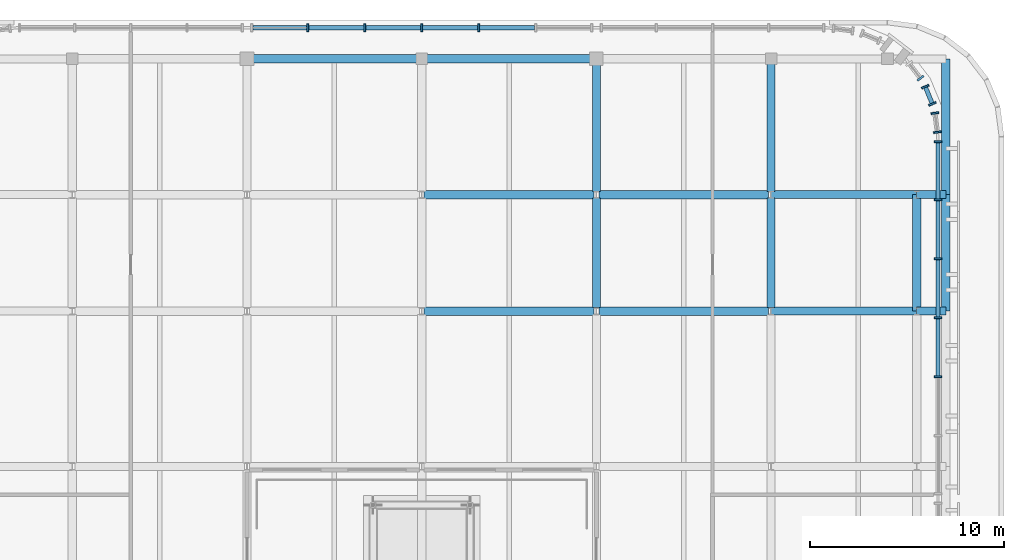
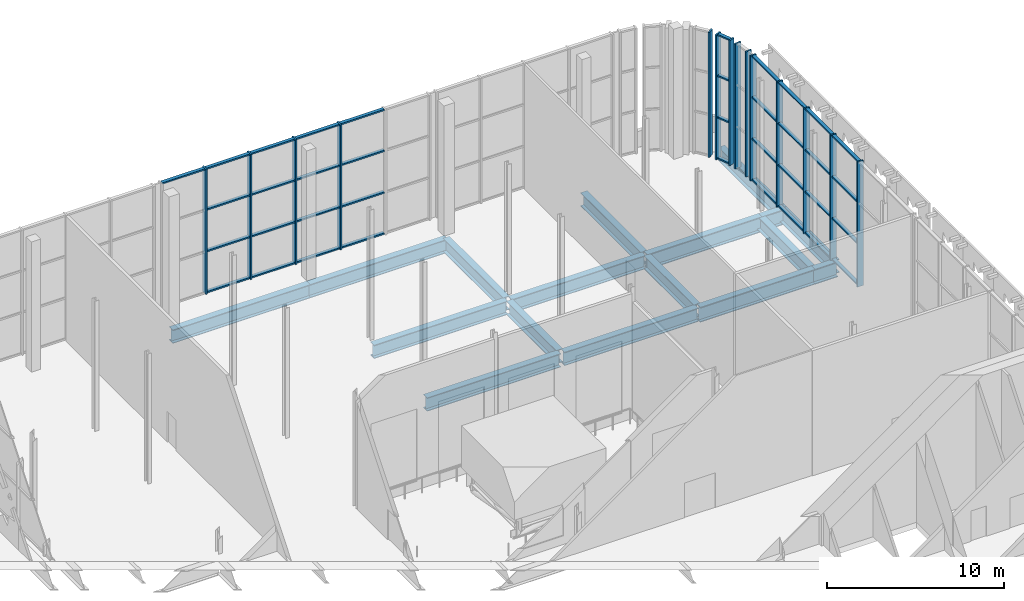
# One storey, part 13 of 26: 51 members, 17 beams, 5 elements without a shape of their own.
"""IFC4 building model written with IfcOpenShell, lengths in metres."""

from ifc_helpers import new_model, si_unit, direction, frame, origin, origin_2d, place, context, subcontext, project, spatial, rectangle, i_section, extrude, material, material_profile, profile_set, type_object, element, aggregate, save


model = new_model("IFC4")

# Units and contexts
model_context = context("Model", 3, precision=1e-05, world=origin(), true_north=direction((0.0, 1.0)))
body_context = subcontext(model_context, "Body", "Model", "MODEL_VIEW")
ifc_project = project(units=[si_unit("LENGTHUNIT", "METRE"), si_unit("AREAUNIT", "SQUARE_METRE"), si_unit("VOLUMEUNIT", "CUBIC_METRE"), si_unit("PLANEANGLEUNIT", "RADIAN"), si_unit("MASSUNIT", "GRAM", prefix="KILO")], contexts=[model_context])

# Site, building, storey
site_placement = place(None, origin())
site = spatial("IfcSite", under=ifc_project, at=site_placement, CompositionType="ELEMENT")
building_placement = place(site_placement, origin())
building = spatial("IfcBuilding", under=site, at=building_placement, Name="Zellij Exchange Tower", CompositionType="ELEMENT")
storey_placement = place(building_placement, frame((0.0, 0.0, 296.5)))
storey = spatial("IfcBuildingStorey", under=building, at=storey_placement, Name="L70", CompositionType="ELEMENT", Elevation=296.5)

# Curtain wall, members
ifc_material_1 = material(Name="Bronze anodised aluminium frame, bronze laminated glass", Category="aluminium")
curtain_wall_type = type_object("IfcCurtainWallType", Name="ENV-CW5 Damper-gallery glazing", PredefinedType="NOTDEFINED", material=ifc_material_1)
curtain_wall_1_placement = place(storey_placement, origin())
curtain_wall_1 = element("IfcCurtainWall", 1, at=curtain_wall_1_placement, inside=storey, type_object=curtain_wall_type, Name="cw.L70.04b", PredefinedType="NOTDEFINED")
ifc_material_2 = material(Name="Aluminium, bronze anodised", Category="aluminium")
ifc_material_profile_1 = material_profile(ifc_material_2, rectangle(XDim=0.10009765625, YDim=0.39990234375, at=origin_2d()), Name="AL 100x400")
ifc_profile_set_1 = profile_set([ifc_material_profile_1], Name="Aluminium, bronze anodised")
member_type_1 = type_object("IfcMemberType", Name="ENV-CW5M Mullion 100x400", PredefinedType="MULLION", material=ifc_profile_set_1)
member_1_placement = place(storey_placement, frame((26.60009765625, 18.619384765625, 0.0), z_axis=(0.0, 0.0, 1.0), x_axis=(0.0, 1.0, 0.0)))
member_1 = element("IfcMember", 2, at=member_1_placement, type_object=member_type_1, Name="CW5 mullion 3", PredefinedType="MULLION", context=body_context, shape_type="SweptSolid", body=[
    extrude(rectangle(XDim=0.10009765625, YDim=0.39990234375, at=origin_2d()), origin(), (0.0, 0.0, 1.0), 8.64990234375),
])
member_2_placement = place(storey_placement, frame((26.60009765625, 21.657958984375, 0.0), z_axis=(0.0, 0.0, 1.0), x_axis=(0.0, 1.0, 0.0)))
member_2 = element("IfcMember", 3, at=member_2_placement, type_object=member_type_1, Name="CW5 mullion 4", PredefinedType="MULLION", context=body_context, shape_type="SweptSolid", body=[
    extrude(rectangle(XDim=0.10009765625, YDim=0.39990234375, at=origin_2d()), origin(), (0.0, 0.0, 1.0), 8.64990234375),
])
member_3_placement = place(storey_placement, frame((26.60009765625, 24.696533203125, 0.0), z_axis=(0.0, 0.0, 1.0), x_axis=(0.0, 1.0, 0.0)))
member_3 = element("IfcMember", 4, at=member_3_placement, type_object=member_type_1, Name="CW5 mullion 5", PredefinedType="MULLION", context=body_context, shape_type="SweptSolid", body=[
    extrude(rectangle(XDim=0.10009765625, YDim=0.39990234375, at=origin_2d()), origin(), (0.0, 0.0, 1.0), 8.64990234375),
])
member_4_placement = place(storey_placement, frame((26.60009765625, 27.735107421875, 0.0), z_axis=(0.0, 0.0, 1.0), x_axis=(0.0, 1.0, 0.0)))
member_4 = element("IfcMember", 5, at=member_4_placement, type_object=member_type_1, Name="CW5 mullion 6", PredefinedType="MULLION", context=body_context, shape_type="SweptSolid", body=[
    extrude(rectangle(XDim=0.10009765625, YDim=0.39990234375, at=origin_2d()), origin(), (0.0, 0.0, 1.0), 8.64990234375),
])
member_5_placement = place(storey_placement, frame((26.60009765625, 30.723876953125, 0.0), z_axis=(0.0, 0.0, 1.0), x_axis=(0.0, 1.0, 0.0)))
member_5 = element("IfcMember", 6, at=member_5_placement, type_object=member_type_1, Name="CW5 mullion 7", PredefinedType="MULLION", context=body_context, shape_type="SweptSolid", body=[
    extrude(rectangle(XDim=0.10009765625, YDim=0.39990234375, at=origin_2d()), origin(), (0.0, 0.0, 1.0), 8.64990234375),
])

curtain_wall_2_placement = place(storey_placement, origin())
curtain_wall_2 = element("IfcCurtainWall", 7, at=curtain_wall_2_placement, inside=storey, type_object=curtain_wall_type, Name="cw.L70.05", PredefinedType="NOTDEFINED")
member_6_placement = place(storey_placement, frame((26.5673828125, 31.2216796875, 0.0), z_axis=(0.0, 0.0, 1.0), x_axis=(-0.130494953476, 0.991448973532, 0.0)))
member_6 = element("IfcMember", 8, at=member_6_placement, type_object=member_type_1, Name="CW5 mullion 1", PredefinedType="MULLION", context=body_context, shape_type="SweptSolid", body=[
    extrude(rectangle(XDim=0.10009765625, YDim=0.39990234375, at=origin_2d()), origin(), (0.0, 0.0, 1.0), 8.64990234375),
])
member_7_placement = place(storey_placement, frame((26.4384765625, 32.20068359375, 0.0), z_axis=(0.0, 0.0, 1.0), x_axis=(-0.130494953476, 0.991448973532, 0.0)))
member_7 = element("IfcMember", 9, at=member_7_placement, type_object=member_type_1, Name="CW5 mullion 2", PredefinedType="MULLION", context=body_context, shape_type="SweptSolid", body=[
    extrude(rectangle(XDim=0.10009765625, YDim=0.39990234375, at=origin_2d()), origin(), (0.0, 0.0, 1.0), 8.64990234375),
])
aggregate(curtain_wall_2, [member_6, member_7])

curtain_wall_3_placement = place(storey_placement, origin())
curtain_wall_3 = element("IfcCurtainWall", 10, at=curtain_wall_3_placement, inside=storey, type_object=curtain_wall_type, Name="cw.L70.06", PredefinedType="NOTDEFINED")
member_8_placement = place(storey_placement, frame((26.310302734375, 32.679443359375, 0.0), z_axis=(0.0, 0.0, 1.0), x_axis=(-0.382754118186, 0.923850250318, 0.0)))
member_8 = element("IfcMember", 11, at=member_8_placement, type_object=member_type_1, Name="CW5 mullion 1", PredefinedType="MULLION", context=body_context, shape_type="SweptSolid", body=[
    extrude(rectangle(XDim=0.10009765625, YDim=0.39990234375, at=origin_2d()), origin(), (0.0, 0.0, 1.0), 8.64990234375),
])
member_9_placement = place(storey_placement, frame((25.9423828125, 33.5673828125, 0.0), z_axis=(0.0, 0.0, 1.0), x_axis=(-0.382754118186, 0.923850250318, 0.0)))
member_9 = element("IfcMember", 12, at=member_9_placement, type_object=member_type_1, Name="CW5 mullion 2", PredefinedType="MULLION", context=body_context, shape_type="SweptSolid", body=[
    extrude(rectangle(XDim=0.10009765625, YDim=0.39990234375, at=origin_2d()), origin(), (0.0, 0.0, 1.0), 8.64990234375),
])

# Curtain wall, member
curtain_wall_4_placement = place(storey_placement, origin())
curtain_wall_4 = element("IfcCurtainWall", 13, at=curtain_wall_4_placement, inside=storey, type_object=curtain_wall_type, Name="cw.L70.07", PredefinedType="NOTDEFINED")
member_10_placement = place(storey_placement, frame((25.694580078125, 33.99658203125, 0.0), z_axis=(0.0, 0.0, 1.0), x_axis=(-0.6087401576, 0.793369661964, 0.0)))
member_10 = element("IfcMember", 14, at=member_10_placement, type_object=member_type_1, Name="CW5 mullion 1", PredefinedType="MULLION", context=body_context, shape_type="SweptSolid", body=[
    extrude(rectangle(XDim=0.10009765625, YDim=0.39990234375, at=origin_2d()), origin(), (0.0, 0.0, 1.0), 8.64990234375),
])
aggregate(curtain_wall_4, [member_10])

# Curtain wall, members
curtain_wall_5_placement = place(storey_placement, origin())
curtain_wall_5 = element("IfcCurtainWall", 15, at=curtain_wall_5_placement, inside=storey, type_object=curtain_wall_type, Name="cw.L70.11b", PredefinedType="NOTDEFINED")
member_11_placement = place(storey_placement, frame((2.933349609375, 36.60009765625, 0.0), z_axis=(0.0, 0.0, 1.0), x_axis=(-1.0, 0.0, 0.0)))
member_11 = element("IfcMember", 16, at=member_11_placement, type_object=member_type_1, Name="CW5 mullion 3", PredefinedType="MULLION", context=body_context, shape_type="SweptSolid", body=[
    extrude(rectangle(XDim=0.10009765625, YDim=0.39990234375, at=origin_2d()), origin(), (0.0, 0.0, 1.0), 8.64990234375),
])
member_12_placement = place(storey_placement, frame((0.0, 36.60009765625, 0.0), z_axis=(0.0, 0.0, 1.0), x_axis=(-1.0, 0.0, 0.0)))
member_12 = element("IfcMember", 17, at=member_12_placement, type_object=member_type_1, Name="CW5 mullion 4", PredefinedType="MULLION", context=body_context, shape_type="SweptSolid", body=[
    extrude(rectangle(XDim=0.10009765625, YDim=0.39990234375, at=origin_2d()), origin(), (0.0, 0.0, 1.0), 8.64990234375),
])
member_13_placement = place(storey_placement, frame((-2.933349609375, 36.60009765625, 0.0), z_axis=(0.0, 0.0, 1.0), x_axis=(-1.0, 0.0, 0.0)))
member_13 = element("IfcMember", 18, at=member_13_placement, type_object=member_type_1, Name="CW5 mullion 5", PredefinedType="MULLION", context=body_context, shape_type="SweptSolid", body=[
    extrude(rectangle(XDim=0.10009765625, YDim=0.39990234375, at=origin_2d()), origin(), (0.0, 0.0, 1.0), 8.64990234375),
])
member_14_placement = place(storey_placement, frame((-5.86669921875, 36.60009765625, 0.0), z_axis=(0.0, 0.0, 1.0), x_axis=(-1.0, 0.0, 0.0)))
member_14 = element("IfcMember", 19, at=member_14_placement, type_object=member_type_1, Name="CW5 mullion 6", PredefinedType="MULLION", context=body_context, shape_type="SweptSolid", body=[
    extrude(rectangle(XDim=0.10009765625, YDim=0.39990234375, at=origin_2d()), origin(), (0.0, 0.0, 1.0), 8.64990234375),
])

# Member
ifc_material_profile_2 = material_profile(ifc_material_2, rectangle(XDim=0.219970703125, YDim=0.10009765625, at=origin_2d()), Name="AL 220x100")
ifc_profile_set_2 = profile_set([ifc_material_profile_2], Name="Aluminium, bronze anodised")
member_type_2 = type_object("IfcMemberType", Name="ENV-CW5T Transom 220x100", PredefinedType="USERDEFINED", material=ifc_profile_set_2)
member_15_placement = place(storey_placement, frame((26.60009765625, 18.66943359375, 0.050048828125), z_axis=(0.0, 1.0, 0.0), x_axis=(-1.0, 0.0, 0.0)))
member_15 = element("IfcMember", 20, at=member_15_placement, type_object=member_type_2, Name="CW5 transom 3.1", ObjectType="TRANSOM", PredefinedType="USERDEFINED", context=body_context, shape_type="SweptSolid", body=[
    extrude(rectangle(XDim=0.219970703125, YDim=0.10009765625, at=origin_2d()), origin(), (0.0, 0.0, 1.0), 2.9384765625),
])

member_16_placement = place(storey_placement, frame((26.60009765625, 18.66943359375, 2.88330078125), z_axis=(0.0, 1.0, 0.0), x_axis=(-1.0, 0.0, 0.0)))
member_16 = element("IfcMember", 21, at=member_16_placement, type_object=member_type_2, Name="CW5 transom 3.2", ObjectType="TRANSOM", PredefinedType="USERDEFINED", context=body_context, shape_type="SweptSolid", body=[
    extrude(rectangle(XDim=0.219970703125, YDim=0.10009765625, at=origin_2d()), origin(), (0.0, 0.0, 1.0), 2.9384765625),
])

member_17_placement = place(storey_placement, frame((26.60009765625, 18.66943359375, 5.7666015625), z_axis=(0.0, 1.0, 0.0), x_axis=(-1.0, 0.0, 0.0)))
member_17 = element("IfcMember", 22, at=member_17_placement, type_object=member_type_2, Name="CW5 transom 3.3", ObjectType="TRANSOM", PredefinedType="USERDEFINED", context=body_context, shape_type="SweptSolid", body=[
    extrude(rectangle(XDim=0.219970703125, YDim=0.10009765625, at=origin_2d()), origin(), (0.0, 0.0, 1.0), 2.9384765625),
])

member_18_placement = place(storey_placement, frame((26.60009765625, 18.66943359375, 8.60009765625), z_axis=(0.0, 1.0, 0.0), x_axis=(-1.0, 0.0, 0.0)))
member_18 = element("IfcMember", 23, at=member_18_placement, type_object=member_type_2, Name="CW5 transom 3.4", ObjectType="TRANSOM", PredefinedType="USERDEFINED", context=body_context, shape_type="SweptSolid", body=[
    extrude(rectangle(XDim=0.219970703125, YDim=0.10009765625, at=origin_2d()), origin(), (0.0, 0.0, 1.0), 2.9384765625),
])

member_19_placement = place(storey_placement, frame((26.60009765625, 21.7080078125, 0.050048828125), z_axis=(0.0, 1.0, 0.0), x_axis=(-1.0, 0.0, 0.0)))
member_19 = element("IfcMember", 24, at=member_19_placement, type_object=member_type_2, Name="CW5 transom 4.1", ObjectType="TRANSOM", PredefinedType="USERDEFINED", context=body_context, shape_type="SweptSolid", body=[
    extrude(rectangle(XDim=0.219970703125, YDim=0.10009765625, at=origin_2d()), origin(), (0.0, 0.0, 1.0), 2.9384765625),
])

member_20_placement = place(storey_placement, frame((26.60009765625, 21.7080078125, 2.88330078125), z_axis=(0.0, 1.0, 0.0), x_axis=(-1.0, 0.0, 0.0)))
member_20 = element("IfcMember", 25, at=member_20_placement, type_object=member_type_2, Name="CW5 transom 4.2", ObjectType="TRANSOM", PredefinedType="USERDEFINED", context=body_context, shape_type="SweptSolid", body=[
    extrude(rectangle(XDim=0.219970703125, YDim=0.10009765625, at=origin_2d()), origin(), (0.0, 0.0, 1.0), 2.9384765625),
])

member_21_placement = place(storey_placement, frame((26.60009765625, 21.7080078125, 5.7666015625), z_axis=(0.0, 1.0, 0.0), x_axis=(-1.0, 0.0, 0.0)))
member_21 = element("IfcMember", 26, at=member_21_placement, type_object=member_type_2, Name="CW5 transom 4.3", ObjectType="TRANSOM", PredefinedType="USERDEFINED", context=body_context, shape_type="SweptSolid", body=[
    extrude(rectangle(XDim=0.219970703125, YDim=0.10009765625, at=origin_2d()), origin(), (0.0, 0.0, 1.0), 2.9384765625),
])

member_22_placement = place(storey_placement, frame((26.60009765625, 21.7080078125, 8.60009765625), z_axis=(0.0, 1.0, 0.0), x_axis=(-1.0, 0.0, 0.0)))
member_22 = element("IfcMember", 27, at=member_22_placement, type_object=member_type_2, Name="CW5 transom 4.4", ObjectType="TRANSOM", PredefinedType="USERDEFINED", context=body_context, shape_type="SweptSolid", body=[
    extrude(rectangle(XDim=0.219970703125, YDim=0.10009765625, at=origin_2d()), origin(), (0.0, 0.0, 1.0), 2.9384765625),
])

member_23_placement = place(storey_placement, frame((26.60009765625, 24.74658203125, 0.050048828125), z_axis=(0.0, 1.0, 0.0), x_axis=(-1.0, 0.0, 0.0)))
member_23 = element("IfcMember", 28, at=member_23_placement, type_object=member_type_2, Name="CW5 transom 5.1", ObjectType="TRANSOM", PredefinedType="USERDEFINED", context=body_context, shape_type="SweptSolid", body=[
    extrude(rectangle(XDim=0.219970703125, YDim=0.10009765625, at=origin_2d()), origin(), (0.0, 0.0, 1.0), 2.938720703125),
])

member_24_placement = place(storey_placement, frame((26.60009765625, 24.74658203125, 2.88330078125), z_axis=(0.0, 1.0, 0.0), x_axis=(-1.0, 0.0, 0.0)))
member_24 = element("IfcMember", 29, at=member_24_placement, type_object=member_type_2, Name="CW5 transom 5.2", ObjectType="TRANSOM", PredefinedType="USERDEFINED", context=body_context, shape_type="SweptSolid", body=[
    extrude(rectangle(XDim=0.219970703125, YDim=0.10009765625, at=origin_2d()), origin(), (0.0, 0.0, 1.0), 2.938720703125),
])

member_25_placement = place(storey_placement, frame((26.60009765625, 24.74658203125, 5.7666015625), z_axis=(0.0, 1.0, 0.0), x_axis=(-1.0, 0.0, 0.0)))
member_25 = element("IfcMember", 30, at=member_25_placement, type_object=member_type_2, Name="CW5 transom 5.3", ObjectType="TRANSOM", PredefinedType="USERDEFINED", context=body_context, shape_type="SweptSolid", body=[
    extrude(rectangle(XDim=0.219970703125, YDim=0.10009765625, at=origin_2d()), origin(), (0.0, 0.0, 1.0), 2.938720703125),
])

member_26_placement = place(storey_placement, frame((26.60009765625, 24.74658203125, 8.60009765625), z_axis=(0.0, 1.0, 0.0), x_axis=(-1.0, 0.0, 0.0)))
member_26 = element("IfcMember", 31, at=member_26_placement, type_object=member_type_2, Name="CW5 transom 5.4", ObjectType="TRANSOM", PredefinedType="USERDEFINED", context=body_context, shape_type="SweptSolid", body=[
    extrude(rectangle(XDim=0.219970703125, YDim=0.10009765625, at=origin_2d()), origin(), (0.0, 0.0, 1.0), 2.938720703125),
])

member_27_placement = place(storey_placement, frame((26.60009765625, 27.78515625, 0.050048828125), z_axis=(0.0, 1.0, 0.0), x_axis=(-1.0, 0.0, 0.0)))
member_27 = element("IfcMember", 32, at=member_27_placement, type_object=member_type_2, Name="CW5 transom 6.1", ObjectType="TRANSOM", PredefinedType="USERDEFINED", context=body_context, shape_type="SweptSolid", body=[
    extrude(rectangle(XDim=0.219970703125, YDim=0.10009765625, at=origin_2d()), origin(), (0.0, 0.0, 1.0), 2.888671875),
])

member_28_placement = place(storey_placement, frame((26.60009765625, 27.78515625, 2.88330078125), z_axis=(0.0, 1.0, 0.0), x_axis=(-1.0, 0.0, 0.0)))
member_28 = element("IfcMember", 33, at=member_28_placement, type_object=member_type_2, Name="CW5 transom 6.2", ObjectType="TRANSOM", PredefinedType="USERDEFINED", context=body_context, shape_type="SweptSolid", body=[
    extrude(rectangle(XDim=0.219970703125, YDim=0.10009765625, at=origin_2d()), origin(), (0.0, 0.0, 1.0), 2.888671875),
])

member_29_placement = place(storey_placement, frame((26.60009765625, 27.78515625, 5.7666015625), z_axis=(0.0, 1.0, 0.0), x_axis=(-1.0, 0.0, 0.0)))
member_29 = element("IfcMember", 34, at=member_29_placement, type_object=member_type_2, Name="CW5 transom 6.3", ObjectType="TRANSOM", PredefinedType="USERDEFINED", context=body_context, shape_type="SweptSolid", body=[
    extrude(rectangle(XDim=0.219970703125, YDim=0.10009765625, at=origin_2d()), origin(), (0.0, 0.0, 1.0), 2.888671875),
])

member_30_placement = place(storey_placement, frame((26.60009765625, 27.78515625, 8.60009765625), z_axis=(0.0, 1.0, 0.0), x_axis=(-1.0, 0.0, 0.0)))
member_30 = element("IfcMember", 35, at=member_30_placement, type_object=member_type_2, Name="CW5 transom 6.4", ObjectType="TRANSOM", PredefinedType="USERDEFINED", context=body_context, shape_type="SweptSolid", body=[
    extrude(rectangle(XDim=0.219970703125, YDim=0.10009765625, at=origin_2d()), origin(), (0.0, 0.0, 1.0), 2.888671875),
])

aggregate(curtain_wall_1, [member_1, member_2, member_3, member_4, member_5, member_15, member_16, member_17, member_18, member_19, member_20, member_21, member_22, member_23, member_24, member_25, member_26, member_27, member_28, member_29, member_30])

member_31_placement = place(storey_placement, frame((26.291015625, 32.7255859375, 0.050048828125), z_axis=(-0.382560515421, 0.923930436798, 0.0), x_axis=(-0.923930436798, -0.382560515421, 0.0)))
member_31 = element("IfcMember", 36, at=member_31_placement, type_object=member_type_2, Name="CW5 transom 1.1", ObjectType="TRANSOM", PredefinedType="USERDEFINED", context=body_context, shape_type="SweptSolid", body=[
    extrude(rectangle(XDim=0.219970703125, YDim=0.10009765625, at=origin_2d()), origin(), (0.0, 0.0, 1.0), 0.86083984375),
])

member_32_placement = place(storey_placement, frame((26.291015625, 32.7255859375, 2.88330078125), z_axis=(-0.382560515421, 0.923930436798, 0.0), x_axis=(-0.923930436798, -0.382560515421, 0.0)))
member_32 = element("IfcMember", 37, at=member_32_placement, type_object=member_type_2, Name="CW5 transom 1.2", ObjectType="TRANSOM", PredefinedType="USERDEFINED", context=body_context, shape_type="SweptSolid", body=[
    extrude(rectangle(XDim=0.219970703125, YDim=0.10009765625, at=origin_2d()), origin(), (0.0, 0.0, 1.0), 0.86083984375),
])

member_33_placement = place(storey_placement, frame((26.291015625, 32.7255859375, 5.7666015625), z_axis=(-0.382560515421, 0.923930436798, 0.0), x_axis=(-0.923930436798, -0.382560515421, 0.0)))
member_33 = element("IfcMember", 38, at=member_33_placement, type_object=member_type_2, Name="CW5 transom 1.3", ObjectType="TRANSOM", PredefinedType="USERDEFINED", context=body_context, shape_type="SweptSolid", body=[
    extrude(rectangle(XDim=0.219970703125, YDim=0.10009765625, at=origin_2d()), origin(), (0.0, 0.0, 1.0), 0.86083984375),
])

member_34_placement = place(storey_placement, frame((26.291015625, 32.7255859375, 8.60009765625), z_axis=(-0.382560515421, 0.923930436798, 0.0), x_axis=(-0.923930436798, -0.382560515421, 0.0)))
member_34 = element("IfcMember", 39, at=member_34_placement, type_object=member_type_2, Name="CW5 transom 1.4", ObjectType="TRANSOM", PredefinedType="USERDEFINED", context=body_context, shape_type="SweptSolid", body=[
    extrude(rectangle(XDim=0.219970703125, YDim=0.10009765625, at=origin_2d()), origin(), (0.0, 0.0, 1.0), 0.86083984375),
])

aggregate(curtain_wall_3, [member_8, member_9, member_31, member_32, member_33, member_34])

member_35_placement = place(storey_placement, frame((5.816650390625, 36.60009765625, 0.050048828125), z_axis=(-1.0, 0.0, 0.0), x_axis=(0.0, -1.0, 0.0)))
member_35 = element("IfcMember", 40, at=member_35_placement, type_object=member_type_2, Name="CW5 transom 2.1", ObjectType="TRANSOM", PredefinedType="USERDEFINED", context=body_context, shape_type="SweptSolid", body=[
    extrude(rectangle(XDim=0.219970703125, YDim=0.10009765625, at=origin_2d()), origin(), (0.0, 0.0, 1.0), 2.833251953125),
])

member_36_placement = place(storey_placement, frame((5.816650390625, 36.60009765625, 2.88330078125), z_axis=(-1.0, 0.0, 0.0), x_axis=(0.0, -1.0, 0.0)))
member_36 = element("IfcMember", 41, at=member_36_placement, type_object=member_type_2, Name="CW5 transom 2.2", ObjectType="TRANSOM", PredefinedType="USERDEFINED", context=body_context, shape_type="SweptSolid", body=[
    extrude(rectangle(XDim=0.219970703125, YDim=0.10009765625, at=origin_2d()), origin(), (0.0, 0.0, 1.0), 2.833251953125),
])

member_37_placement = place(storey_placement, frame((5.816650390625, 36.60009765625, 5.7666015625), z_axis=(-1.0, 0.0, 0.0), x_axis=(0.0, -1.0, 0.0)))
member_37 = element("IfcMember", 42, at=member_37_placement, type_object=member_type_2, Name="CW5 transom 2.3", ObjectType="TRANSOM", PredefinedType="USERDEFINED", context=body_context, shape_type="SweptSolid", body=[
    extrude(rectangle(XDim=0.219970703125, YDim=0.10009765625, at=origin_2d()), origin(), (0.0, 0.0, 1.0), 2.833251953125),
])

member_38_placement = place(storey_placement, frame((5.816650390625, 36.60009765625, 8.60009765625), z_axis=(-1.0, 0.0, 0.0), x_axis=(0.0, -1.0, 0.0)))
member_38 = element("IfcMember", 43, at=member_38_placement, type_object=member_type_2, Name="CW5 transom 2.4", ObjectType="TRANSOM", PredefinedType="USERDEFINED", context=body_context, shape_type="SweptSolid", body=[
    extrude(rectangle(XDim=0.219970703125, YDim=0.10009765625, at=origin_2d()), origin(), (0.0, 0.0, 1.0), 2.833251953125),
])

member_39_placement = place(storey_placement, frame((2.88330078125, 36.60009765625, 0.050048828125), z_axis=(-1.0, 0.0, 0.0), x_axis=(0.0, -1.0, 0.0)))
member_39 = element("IfcMember", 44, at=member_39_placement, type_object=member_type_2, Name="CW5 transom 3.1", ObjectType="TRANSOM", PredefinedType="USERDEFINED", context=body_context, shape_type="SweptSolid", body=[
    extrude(rectangle(XDim=0.219970703125, YDim=0.10009765625, at=origin_2d()), origin(), (0.0, 0.0, 1.0), 2.833251953125),
])

member_40_placement = place(storey_placement, frame((2.88330078125, 36.60009765625, 2.88330078125), z_axis=(-1.0, 0.0, 0.0), x_axis=(0.0, -1.0, 0.0)))
member_40 = element("IfcMember", 45, at=member_40_placement, type_object=member_type_2, Name="CW5 transom 3.2", ObjectType="TRANSOM", PredefinedType="USERDEFINED", context=body_context, shape_type="SweptSolid", body=[
    extrude(rectangle(XDim=0.219970703125, YDim=0.10009765625, at=origin_2d()), origin(), (0.0, 0.0, 1.0), 2.833251953125),
])

member_41_placement = place(storey_placement, frame((2.88330078125, 36.60009765625, 5.7666015625), z_axis=(-1.0, 0.0, 0.0), x_axis=(0.0, -1.0, 0.0)))
member_41 = element("IfcMember", 46, at=member_41_placement, type_object=member_type_2, Name="CW5 transom 3.3", ObjectType="TRANSOM", PredefinedType="USERDEFINED", context=body_context, shape_type="SweptSolid", body=[
    extrude(rectangle(XDim=0.219970703125, YDim=0.10009765625, at=origin_2d()), origin(), (0.0, 0.0, 1.0), 2.833251953125),
])

member_42_placement = place(storey_placement, frame((2.88330078125, 36.60009765625, 8.60009765625), z_axis=(-1.0, 0.0, 0.0), x_axis=(0.0, -1.0, 0.0)))
member_42 = element("IfcMember", 47, at=member_42_placement, type_object=member_type_2, Name="CW5 transom 3.4", ObjectType="TRANSOM", PredefinedType="USERDEFINED", context=body_context, shape_type="SweptSolid", body=[
    extrude(rectangle(XDim=0.219970703125, YDim=0.10009765625, at=origin_2d()), origin(), (0.0, 0.0, 1.0), 2.833251953125),
])

member_43_placement = place(storey_placement, frame((-0.050048828125, 36.60009765625, 0.050048828125), z_axis=(-1.0, 0.0, 0.0), x_axis=(0.0, -1.0, 0.0)))
member_43 = element("IfcMember", 48, at=member_43_placement, type_object=member_type_2, Name="CW5 transom 4.1", ObjectType="TRANSOM", PredefinedType="USERDEFINED", context=body_context, shape_type="SweptSolid", body=[
    extrude(rectangle(XDim=0.219970703125, YDim=0.10009765625, at=origin_2d()), origin(), (0.0, 0.0, 1.0), 2.833251953125),
])

member_44_placement = place(storey_placement, frame((-0.050048828125, 36.60009765625, 2.88330078125), z_axis=(-1.0, 0.0, 0.0), x_axis=(0.0, -1.0, 0.0)))
member_44 = element("IfcMember", 49, at=member_44_placement, type_object=member_type_2, Name="CW5 transom 4.2", ObjectType="TRANSOM", PredefinedType="USERDEFINED", context=body_context, shape_type="SweptSolid", body=[
    extrude(rectangle(XDim=0.219970703125, YDim=0.10009765625, at=origin_2d()), origin(), (0.0, 0.0, 1.0), 2.833251953125),
])

member_45_placement = place(storey_placement, frame((-0.050048828125, 36.60009765625, 5.7666015625), z_axis=(-1.0, 0.0, 0.0), x_axis=(0.0, -1.0, 0.0)))
member_45 = element("IfcMember", 50, at=member_45_placement, type_object=member_type_2, Name="CW5 transom 4.3", ObjectType="TRANSOM", PredefinedType="USERDEFINED", context=body_context, shape_type="SweptSolid", body=[
    extrude(rectangle(XDim=0.219970703125, YDim=0.10009765625, at=origin_2d()), origin(), (0.0, 0.0, 1.0), 2.833251953125),
])

member_46_placement = place(storey_placement, frame((-0.050048828125, 36.60009765625, 8.60009765625), z_axis=(-1.0, 0.0, 0.0), x_axis=(0.0, -1.0, 0.0)))
member_46 = element("IfcMember", 51, at=member_46_placement, type_object=member_type_2, Name="CW5 transom 4.4", ObjectType="TRANSOM", PredefinedType="USERDEFINED", context=body_context, shape_type="SweptSolid", body=[
    extrude(rectangle(XDim=0.219970703125, YDim=0.10009765625, at=origin_2d()), origin(), (0.0, 0.0, 1.0), 2.833251953125),
])

member_47_placement = place(storey_placement, frame((-2.9833984375, 36.60009765625, 0.050048828125), z_axis=(-1.0, 0.0, 0.0), x_axis=(0.0, -1.0, 0.0)))
member_47 = element("IfcMember", 52, at=member_47_placement, type_object=member_type_2, Name="CW5 transom 5.1", ObjectType="TRANSOM", PredefinedType="USERDEFINED", context=body_context, shape_type="SweptSolid", body=[
    extrude(rectangle(XDim=0.219970703125, YDim=0.10009765625, at=origin_2d()), origin(), (0.0, 0.0, 1.0), 2.833251953125),
])

member_48_placement = place(storey_placement, frame((-2.9833984375, 36.60009765625, 2.88330078125), z_axis=(-1.0, 0.0, 0.0), x_axis=(0.0, -1.0, 0.0)))
member_48 = element("IfcMember", 53, at=member_48_placement, type_object=member_type_2, Name="CW5 transom 5.2", ObjectType="TRANSOM", PredefinedType="USERDEFINED", context=body_context, shape_type="SweptSolid", body=[
    extrude(rectangle(XDim=0.219970703125, YDim=0.10009765625, at=origin_2d()), origin(), (0.0, 0.0, 1.0), 2.833251953125),
])

member_49_placement = place(storey_placement, frame((-2.9833984375, 36.60009765625, 5.7666015625), z_axis=(-1.0, 0.0, 0.0), x_axis=(0.0, -1.0, 0.0)))
member_49 = element("IfcMember", 54, at=member_49_placement, type_object=member_type_2, Name="CW5 transom 5.3", ObjectType="TRANSOM", PredefinedType="USERDEFINED", context=body_context, shape_type="SweptSolid", body=[
    extrude(rectangle(XDim=0.219970703125, YDim=0.10009765625, at=origin_2d()), origin(), (0.0, 0.0, 1.0), 2.833251953125),
])

member_50_placement = place(storey_placement, frame((-2.9833984375, 36.60009765625, 8.60009765625), z_axis=(-1.0, 0.0, 0.0), x_axis=(0.0, -1.0, 0.0)))
member_50 = element("IfcMember", 55, at=member_50_placement, type_object=member_type_2, Name="CW5 transom 5.4", ObjectType="TRANSOM", PredefinedType="USERDEFINED", context=body_context, shape_type="SweptSolid", body=[
    extrude(rectangle(XDim=0.219970703125, YDim=0.10009765625, at=origin_2d()), origin(), (0.0, 0.0, 1.0), 2.833251953125),
])

member_51_placement = place(storey_placement, frame((-5.916748046875, 36.60009765625, 8.60009765625), z_axis=(-1.0, 0.0, 0.0), x_axis=(0.0, -1.0, 0.0)))
member_51 = element("IfcMember", 56, at=member_51_placement, type_object=member_type_2, Name="CW5 transom 6.4", ObjectType="TRANSOM", PredefinedType="USERDEFINED", context=body_context, shape_type="SweptSolid", body=[
    extrude(rectangle(XDim=0.219970703125, YDim=0.10009765625, at=origin_2d()), origin(), (0.0, 0.0, 1.0), 2.783203125),
])

aggregate(curtain_wall_5, [member_11, member_12, member_13, member_14, member_35, member_36, member_37, member_38, member_39, member_40, member_41, member_42, member_43, member_44, member_45, member_46, member_47, member_48, member_49, member_50, member_51])

# Beams
ifc_material_3 = material(Name="Structural steel ASTM A913 Gr 65", Category="steel")
ifc_material_profile_3 = material_profile(ifc_material_3, i_section(OverallWidth=0.424072265625, OverallDepth=0.93212890625, WebThickness=0.02392578125, FlangeThickness=0.042724609375, at=origin_2d()), Name="W36x300")
ifc_profile_set_3 = profile_set([ifc_material_profile_3], Name="Structural steel ASTM A913 Gr 65")
beam_type_1 = type_object("IfcBeamType", Name="STR-GIRDER W36x300", PredefinedType="BEAM", material=ifc_profile_set_3)
for number, where, z_axis, x_axis, name in (
    (57, (0.126953125, 22.0, -0.8662109375), (1.0, 0.0, 0.0), (0.0, 1.0, 0.0), "G5"),
    (58, (9.126953125, 22.0, -0.8662109375), (1.0, 0.0, 0.0), (0.0, 1.0, 0.0), "G5"),
    (59, (0.126953125, 28.0, -0.8662109375), (1.0, 0.0, 0.0), (0.0, 1.0, 0.0), "G5"),
    (60, (9.126953125, 28.0, -0.8662109375), (1.0, 0.0, 0.0), (0.0, 1.0, 0.0), "G5"),
):
    element("IfcBeam", number, at=place(storey_placement, frame(where, z_axis=z_axis, x_axis=x_axis)), inside=storey, type_object=beam_type_1, Name=name, PredefinedType="BEAM", context=body_context, shape_type="SweptSolid", body=[
        extrude(i_section(OverallWidth=0.424072265625, OverallDepth=0.93212890625, WebThickness=0.02392578125, FlangeThickness=0.042724609375, at=origin_2d()), origin(), (0.0, 0.0, 1.0), 8.74609375),
    ])
for number, where, z_axis, x_axis, name in (
    (61, (-9.0, 35.0, -0.8662109375), (1.0, 0.0, 0.0), (0.0, 1.0, 0.0), "G5"),
    (62, (0.0, 35.0, -0.8662109375), (1.0, 0.0, 0.0), (0.0, 1.0, 0.0), "G5"),
):
    element("IfcBeam", number, at=place(storey_placement, frame(where, z_axis=z_axis, x_axis=x_axis)), inside=storey, type_object=beam_type_1, Name=name, PredefinedType="BEAM", context=body_context, shape_type="SweptSolid", body=[
        extrude(i_section(OverallWidth=0.424072265625, OverallDepth=0.93212890625, WebThickness=0.02392578125, FlangeThickness=0.042724609375, at=origin_2d()), origin(), (0.0, 0.0, 1.0), 9.0),
    ])
beam_1_placement = place(storey_placement, frame((9.0, 22.176513671875, -0.8662109375), z_axis=(0.0, 1.0, 0.0), x_axis=(-1.0, 0.0, 0.0)))
element("IfcBeam", 63, at=beam_1_placement, inside=storey, type_object=beam_type_1, Name="G5", PredefinedType="BEAM", context=body_context, shape_type="SweptSolid", body=[
    extrude(i_section(OverallWidth=0.424072265625, OverallDepth=0.93212890625, WebThickness=0.02392578125, FlangeThickness=0.042724609375, at=origin_2d()), origin(), (0.0, 0.0, 1.0), 5.64697265625),
])
beam_2_placement = place(storey_placement, frame((9.0, 28.176513671875, -0.8662109375), z_axis=(0.0, 1.0, 0.0), x_axis=(-1.0, 0.0, 0.0)))
element("IfcBeam", 64, at=beam_2_placement, inside=storey, type_object=beam_type_1, Name="G5", PredefinedType="BEAM", context=body_context, shape_type="SweptSolid", body=[
    extrude(i_section(OverallWidth=0.424072265625, OverallDepth=0.93212890625, WebThickness=0.02392578125, FlangeThickness=0.042724609375, at=origin_2d()), origin(), (0.0, 0.0, 1.0), 6.823486328125),
])
beam_3_placement = place(storey_placement, frame((18.0, 22.176513671875, -0.8662109375), z_axis=(0.0, 1.0, 0.0), x_axis=(-1.0, 0.0, 0.0)))
element("IfcBeam", 65, at=beam_3_placement, inside=storey, type_object=beam_type_1, Name="G5", PredefinedType="BEAM", context=body_context, shape_type="SweptSolid", body=[
    extrude(i_section(OverallWidth=0.424072265625, OverallDepth=0.93212890625, WebThickness=0.02392578125, FlangeThickness=0.042724609375, at=origin_2d()), origin(), (0.0, 0.0, 1.0), 5.64697265625),
])
beam_4_placement = place(storey_placement, frame((18.0, 28.176513671875, -0.8662109375), z_axis=(0.0, 1.0, 0.0), x_axis=(-1.0, 0.0, 0.0)))
element("IfcBeam", 66, at=beam_4_placement, inside=storey, type_object=beam_type_1, Name="G5", PredefinedType="BEAM", context=body_context, shape_type="SweptSolid", body=[
    extrude(i_section(OverallWidth=0.424072265625, OverallDepth=0.93212890625, WebThickness=0.02392578125, FlangeThickness=0.042724609375, at=origin_2d()), origin(), (0.0, 0.0, 1.0), 6.823486328125),
])
for number, where, z_axis, x_axis, name in (
    (67, (25.5, 22.0, -0.8662109375), (0.0, 1.0, 0.0), (-1.0, 0.0, 0.0), "G5"),
    (68, (27.0, 22.0, -0.8662109375), (0.0, 1.0, 0.0), (-1.0, 0.0, 0.0), "G5"),
):
    element("IfcBeam", number, at=place(storey_placement, frame(where, z_axis=z_axis, x_axis=x_axis)), inside=storey, type_object=beam_type_1, Name=name, PredefinedType="BEAM", context=body_context, shape_type="SweptSolid", body=[
        extrude(i_section(OverallWidth=0.424072265625, OverallDepth=0.93212890625, WebThickness=0.02392578125, FlangeThickness=0.042724609375, at=origin_2d()), origin(), (0.0, 0.0, 1.0), 6.0),
    ])
beam_5_placement = place(storey_placement, frame((27.0, 28.0, -0.8662109375), z_axis=(0.0, 1.0, 0.0), x_axis=(-1.0, 0.0, 0.0)))
element("IfcBeam", 69, at=beam_5_placement, inside=storey, type_object=beam_type_1, Name="G5", PredefinedType="BEAM", context=body_context, shape_type="SweptSolid", body=[
    extrude(i_section(OverallWidth=0.424072265625, OverallDepth=0.93212890625, WebThickness=0.02392578125, FlangeThickness=0.042724609375, at=origin_2d()), origin(), (0.0, 0.0, 1.0), 7.0),
])
ifc_material_profile_4 = material_profile(ifc_material_3, i_section(OverallWidth=0.408935546875, OverallDepth=1.04150390625, WebThickness=0.031005859375, FlangeThickness=0.055908203125, at=origin_2d()), Name="W40x397")
ifc_profile_set_4 = profile_set([ifc_material_profile_4], Name="Structural steel ASTM A913 Gr 65")
beam_type_2 = type_object("IfcBeamType", Name="STR-TRANSFER GIRDER W40x397", PredefinedType="BEAM", material=ifc_profile_set_4)
beam_6_placement = place(storey_placement, frame((18.0, 22.0, -0.920654296875), z_axis=(1.0, 0.0, 0.0), x_axis=(0.0, 1.0, 0.0)))
element("IfcBeam", 70, at=beam_6_placement, inside=storey, type_object=beam_type_2, Name="TG6", PredefinedType="BEAM", context=body_context, shape_type="SweptSolid", body=[
    extrude(i_section(OverallWidth=0.408935546875, OverallDepth=1.04150390625, WebThickness=0.031005859375, FlangeThickness=0.055908203125, at=origin_2d()), origin(), (0.0, 0.0, 1.0), 7.5),
])
beam_7_placement = place(storey_placement, frame((25.5, 22.0, -0.920654296875), z_axis=(1.0, 0.0, 0.0), x_axis=(0.0, 1.0, 0.0)))
element("IfcBeam", 71, at=beam_7_placement, inside=storey, type_object=beam_type_2, Name="TG6", PredefinedType="BEAM", context=body_context, shape_type="SweptSolid", body=[
    extrude(i_section(OverallWidth=0.408935546875, OverallDepth=1.04150390625, WebThickness=0.031005859375, FlangeThickness=0.055908203125, at=origin_2d()), origin(), (0.0, 0.0, 1.0), 1.5),
])
beam_8_placement = place(storey_placement, frame((18.0, 28.0, -0.920654296875), z_axis=(1.0, 0.0, 0.0), x_axis=(0.0, 1.0, 0.0)))
element("IfcBeam", 72, at=beam_8_placement, inside=storey, type_object=beam_type_2, Name="TG6", PredefinedType="BEAM", context=body_context, shape_type="SweptSolid", body=[
    extrude(i_section(OverallWidth=0.408935546875, OverallDepth=1.04150390625, WebThickness=0.031005859375, FlangeThickness=0.055908203125, at=origin_2d()), origin(), (0.0, 0.0, 1.0), 7.5),
])
beam_9_placement = place(storey_placement, frame((25.5, 28.0, -0.920654296875), z_axis=(1.0, 0.0, 0.0), x_axis=(0.0, 1.0, 0.0)))
element("IfcBeam", 73, at=beam_9_placement, inside=storey, type_object=beam_type_2, Name="TG6", PredefinedType="BEAM", context=body_context, shape_type="SweptSolid", body=[
    extrude(i_section(OverallWidth=0.408935546875, OverallDepth=1.04150390625, WebThickness=0.031005859375, FlangeThickness=0.055908203125, at=origin_2d()), origin(), (0.0, 0.0, 1.0), 1.5),
])

save(model, "model.ifc")
